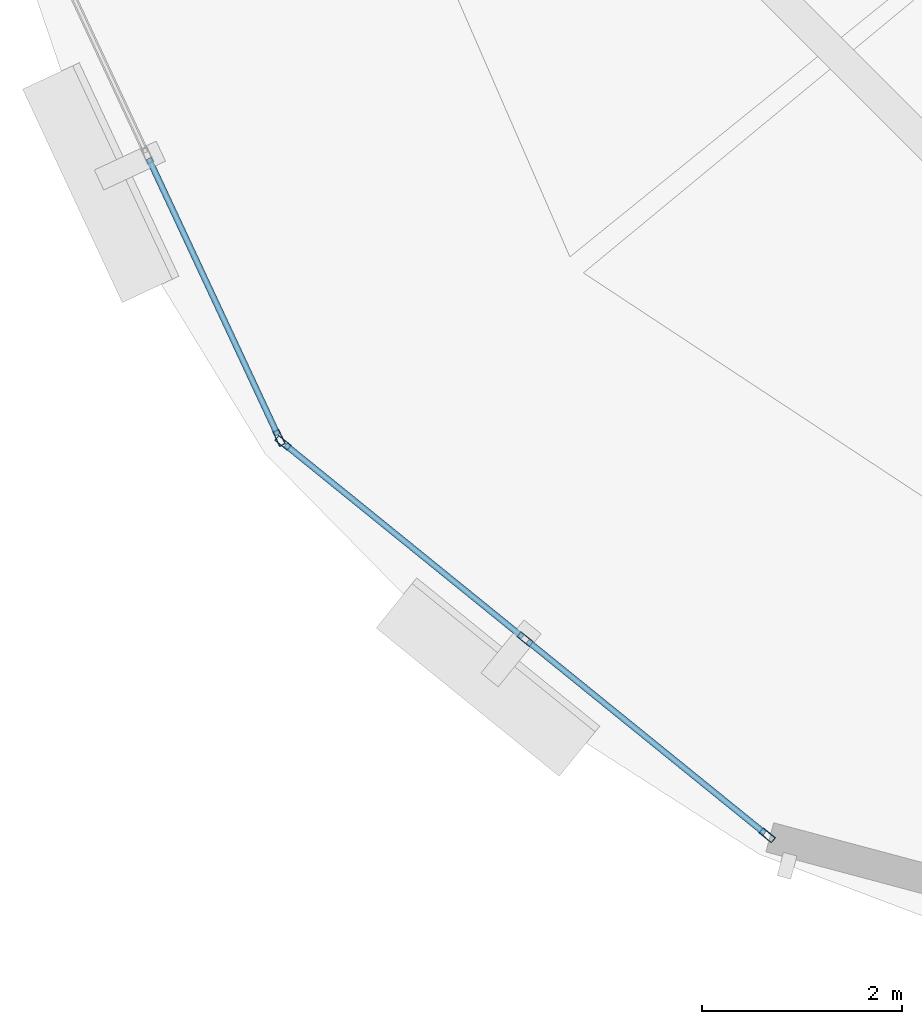
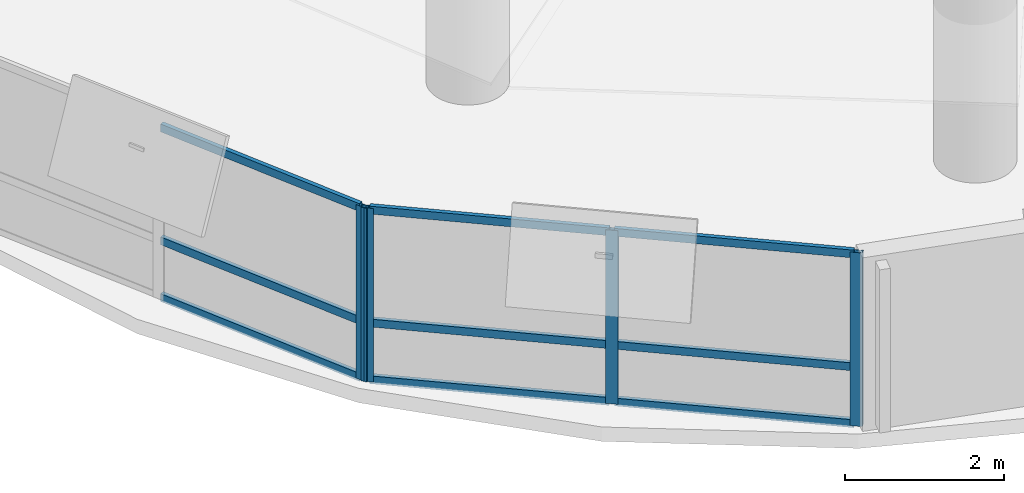
# One storey, part 2 of 12: 13 members, 2 elements without a shape of their own.
"""IFC4 building model written with IfcOpenShell, lengths in metres."""

from ifc_helpers import new_model, si_unit, direction, frame, origin, origin_2d, place, context, subcontext, project, spatial, hollow_rectangle, extrude, material, layer, layer_set, material_profile, profile_set, type_object, element, aggregate, save


model = new_model("IFC4")

# Units and contexts
model_context = context("Model", 3, precision=1e-05, world=origin(), true_north=direction((0.0, 1.0)))
body_context = subcontext(model_context, "Body", "Model", "MODEL_VIEW")
ifc_project = project(units=[si_unit("LENGTHUNIT", "METRE"), si_unit("AREAUNIT", "SQUARE_METRE"), si_unit("VOLUMEUNIT", "CUBIC_METRE"), si_unit("PLANEANGLEUNIT", "RADIAN"), si_unit("MASSUNIT", "GRAM", prefix="KILO"), si_unit("THERMODYNAMICTEMPERATUREUNIT", "KELVIN"), si_unit("POWERUNIT", "WATT")], contexts=[model_context])

# Site, building, storey
site_placement = place(None, origin())
site = spatial("IfcSite", under=ifc_project, at=site_placement, CompositionType="ELEMENT")
building_placement = place(site_placement, origin())
building = spatial("IfcBuilding", under=site, at=building_placement, Name="Ocrelia Relay Tower", CompositionType="ELEMENT")
storey_placement = place(building_placement, frame((0.0, 0.0, 191.60009765625)))
storey = spatial("IfcBuildingStorey", under=building, at=storey_placement, Name="L46", CompositionType="ELEMENT", Elevation=191.60009765625)

# Curtain wall, member
ifc_material_1 = material(Name="Aluminium and solar-control low-E glass", Category="aluminium")
ifc_layer = layer(ifc_material_1, 0.179931640625, Name="Aluminium and solar-control low-E glass")
ifc_layer_set = layer_set([ifc_layer], Name="Aluminium and solar-control low-E glass")
curtain_wall_type = type_object("IfcCurtainWallType", Name="CW-SYS-Z3-CLOU", PredefinedType="NOTDEFINED", material=ifc_layer_set)
curtain_wall_1_placement = place(storey_placement, origin())
curtain_wall_1 = element("IfcCurtainWall", 1, at=curtain_wall_1_placement, inside=storey, type_object=curtain_wall_type, Name="L46 Elliptical Tower Curtain Wall Bay 09", PredefinedType="NOTDEFINED")
ifc_material_2 = material(Name="Anodised bronze aluminium", Category="aluminium")
ifc_material_profile_1 = material_profile(ifc_material_2, hollow_rectangle(XDim=0.06494140625, YDim=0.159912109375, WallThickness=0.0048828125, at=origin_2d()), Name="CW-MUL-160x65")
ifc_profile_set_1 = profile_set([ifc_material_profile_1], Name="Anodised bronze aluminium")
member_type_1 = type_object("IfcMemberType", Name="CW-SYS-Z3-CLOU-MUL", PredefinedType="MULLION", material=ifc_profile_set_1)
member_1_placement = place(storey_placement, frame((15.546875, 11.623046875, 0.0), z_axis=(0.0, 0.0, 1.0), x_axis=(0.906166467476, 0.422921190321, 0.0)))
member_1 = element("IfcMember", 2, at=member_1_placement, type_object=member_type_1, Name="CW-Z3 mullion 3", PredefinedType="MULLION", context=body_context, shape_type="SweptSolid", body=[
    extrude(hollow_rectangle(XDim=0.06494140625, YDim=0.159912109375, WallThickness=0.0048828125, at=origin_2d()), origin(), (0.0, 0.0, 1.0), 2.659912109375),
])

# Curtain wall, members
curtain_wall_2_placement = place(storey_placement, origin())
curtain_wall_2 = element("IfcCurtainWall", 3, at=curtain_wall_2_placement, inside=storey, type_object=curtain_wall_type, Name="L46 Elliptical Tower Curtain Wall Bay 10", PredefinedType="NOTDEFINED")
member_2_placement = place(storey_placement, frame((15.585693359375, 11.572998046875, 0.0), z_axis=(0.0, 0.0, 1.0), x_axis=(0.629580019644, 0.776935646541, 0.0)))
member_2 = element("IfcMember", 4, at=member_2_placement, type_object=member_type_1, Name="CW-Z3 mullion 1", PredefinedType="MULLION", context=body_context, shape_type="SweptSolid", body=[
    extrude(hollow_rectangle(XDim=0.06494140625, YDim=0.159912109375, WallThickness=0.0048828125, at=origin_2d()), origin(), (0.0, 0.0, 1.0), 2.659912109375),
])
member_3_placement = place(storey_placement, frame((18.001220703125, 9.61572265625, 0.0), z_axis=(0.0, 0.0, 1.0), x_axis=(0.629580019644, 0.776935646541, 0.0)))
member_3 = element("IfcMember", 5, at=member_3_placement, type_object=member_type_1, Name="CW-Z3 mullion 2", PredefinedType="MULLION", context=body_context, shape_type="SweptSolid", body=[
    extrude(hollow_rectangle(XDim=0.06494140625, YDim=0.159912109375, WallThickness=0.0048828125, at=origin_2d()), origin(), (0.0, 0.0, 1.0), 2.659912109375),
])
member_4_placement = place(storey_placement, frame((20.41650390625, 7.658447265625, 0.0), z_axis=(0.0, 0.0, 1.0), x_axis=(0.629580019644, 0.776935646541, 0.0)))
member_4 = element("IfcMember", 6, at=member_4_placement, type_object=member_type_1, Name="CW-Z3 mullion 3", PredefinedType="MULLION", context=body_context, shape_type="SweptSolid", body=[
    extrude(hollow_rectangle(XDim=0.06494140625, YDim=0.159912109375, WallThickness=0.0048828125, at=origin_2d()), origin(), (0.0, 0.0, 1.0), 2.659912109375),
])

# Member
ifc_material_profile_2 = material_profile(ifc_material_2, hollow_rectangle(XDim=0.06005859375, YDim=0.1201171875, WallThickness=0.0048828125, at=origin_2d()), Name="CW-TRN-120x60")
ifc_profile_set_2 = profile_set([ifc_material_profile_2], Name="Anodised bronze aluminium")
member_type_2 = type_object("IfcMemberType", Name="CW-SYS-Z3-CLOU-TRN", PredefinedType="USERDEFINED", material=ifc_profile_set_2)
member_5_placement = place(storey_placement, frame((14.24560546875, 14.41064453125, 0.02978515625), z_axis=(0.422924982366, -0.906164697663, 0.0), x_axis=(0.906164697663, 0.422924982366, 0.0)))
member_5 = element("IfcMember", 7, at=member_5_placement, type_object=member_type_2, Name="CW-Z3 transom 2.1", ObjectType="TRANSOM", PredefinedType="USERDEFINED", context=body_context, shape_type="SweptSolid", body=[
    extrude(hollow_rectangle(XDim=0.06005859375, YDim=0.1201171875, WallThickness=0.0048828125, at=origin_2d()), origin(), (0.0, 0.0, 1.0), 3.0439453125),
])

member_6_placement = place(storey_placement, frame((14.24560546875, 14.41064453125, 0.89990234375), z_axis=(0.422924982366, -0.906164697663, 0.0), x_axis=(0.906164697663, 0.422924982366, 0.0)))
member_6 = element("IfcMember", 8, at=member_6_placement, type_object=member_type_2, Name="CW-Z3 transom 2.2", ObjectType="TRANSOM", PredefinedType="USERDEFINED", context=body_context, shape_type="SweptSolid", body=[
    extrude(hollow_rectangle(XDim=0.06005859375, YDim=0.1201171875, WallThickness=0.0048828125, at=origin_2d()), origin(), (0.0, 0.0, 1.0), 3.0439453125),
])

member_7_placement = place(storey_placement, frame((14.24560546875, 14.41064453125, 2.6298828125), z_axis=(0.422924982366, -0.906164697663, 0.0), x_axis=(0.906164697663, 0.422924982366, 0.0)))
member_7 = element("IfcMember", 9, at=member_7_placement, type_object=member_type_2, Name="CW-Z3 transom 2.3", ObjectType="TRANSOM", PredefinedType="USERDEFINED", context=body_context, shape_type="SweptSolid", body=[
    extrude(hollow_rectangle(XDim=0.06005859375, YDim=0.1201171875, WallThickness=0.0048828125, at=origin_2d()), origin(), (0.0, 0.0, 1.0), 3.0439453125),
])

aggregate(curtain_wall_1, [member_1, member_5, member_6, member_7])

member_8_placement = place(storey_placement, frame((15.611083984375, 11.552490234375, 0.02978515625), z_axis=(0.776932827661, -0.629583498277, 0.0), x_axis=(0.629583498277, 0.776932827661, 0.0)))
member_8 = element("IfcMember", 10, at=member_8_placement, type_object=member_type_2, Name="CW-Z3 transom 1.1", ObjectType="TRANSOM", PredefinedType="USERDEFINED", context=body_context, shape_type="SweptSolid", body=[
    extrude(hollow_rectangle(XDim=0.06005859375, YDim=0.1201171875, WallThickness=0.0048828125, at=origin_2d()), origin(), (0.0, 0.0, 1.0), 3.043701171875),
])

member_9_placement = place(storey_placement, frame((15.611083984375, 11.552490234375, 0.89990234375), z_axis=(0.776932827661, -0.629583498277, 0.0), x_axis=(0.629583498277, 0.776932827661, 0.0)))
member_9 = element("IfcMember", 11, at=member_9_placement, type_object=member_type_2, Name="CW-Z3 transom 1.2", ObjectType="TRANSOM", PredefinedType="USERDEFINED", context=body_context, shape_type="SweptSolid", body=[
    extrude(hollow_rectangle(XDim=0.06005859375, YDim=0.1201171875, WallThickness=0.0048828125, at=origin_2d()), origin(), (0.0, 0.0, 1.0), 3.043701171875),
])

member_10_placement = place(storey_placement, frame((15.611083984375, 11.552490234375, 2.6298828125), z_axis=(0.776932827661, -0.629583498277, 0.0), x_axis=(0.629583498277, 0.776932827661, 0.0)))
member_10 = element("IfcMember", 12, at=member_10_placement, type_object=member_type_2, Name="CW-Z3 transom 1.3", ObjectType="TRANSOM", PredefinedType="USERDEFINED", context=body_context, shape_type="SweptSolid", body=[
    extrude(hollow_rectangle(XDim=0.06005859375, YDim=0.1201171875, WallThickness=0.0048828125, at=origin_2d()), origin(), (0.0, 0.0, 1.0), 3.043701171875),
])

member_11_placement = place(storey_placement, frame((18.0263671875, 9.59521484375, 0.02978515625), z_axis=(0.776964618726, -0.629544264724, 0.0), x_axis=(0.629544264724, 0.776964618726, 0.0)))
member_11 = element("IfcMember", 13, at=member_11_placement, type_object=member_type_2, Name="CW-Z3 transom 2.1", ObjectType="TRANSOM", PredefinedType="USERDEFINED", context=body_context, shape_type="SweptSolid", body=[
    extrude(hollow_rectangle(XDim=0.06005859375, YDim=0.1201171875, WallThickness=0.0048828125, at=origin_2d()), origin(), (0.0, 0.0, 1.0), 3.0439453125),
])

member_12_placement = place(storey_placement, frame((18.0263671875, 9.59521484375, 0.89990234375), z_axis=(0.776964618726, -0.629544264724, 0.0), x_axis=(0.629544264724, 0.776964618726, 0.0)))
member_12 = element("IfcMember", 14, at=member_12_placement, type_object=member_type_2, Name="CW-Z3 transom 2.2", ObjectType="TRANSOM", PredefinedType="USERDEFINED", context=body_context, shape_type="SweptSolid", body=[
    extrude(hollow_rectangle(XDim=0.06005859375, YDim=0.1201171875, WallThickness=0.0048828125, at=origin_2d()), origin(), (0.0, 0.0, 1.0), 3.0439453125),
])

member_13_placement = place(storey_placement, frame((18.0263671875, 9.59521484375, 2.6298828125), z_axis=(0.776964618726, -0.629544264724, 0.0), x_axis=(0.629544264724, 0.776964618726, 0.0)))
member_13 = element("IfcMember", 15, at=member_13_placement, type_object=member_type_2, Name="CW-Z3 transom 2.3", ObjectType="TRANSOM", PredefinedType="USERDEFINED", context=body_context, shape_type="SweptSolid", body=[
    extrude(hollow_rectangle(XDim=0.06005859375, YDim=0.1201171875, WallThickness=0.0048828125, at=origin_2d()), origin(), (0.0, 0.0, 1.0), 3.0439453125),
])

aggregate(curtain_wall_2, [member_2, member_3, member_4, member_8, member_9, member_10, member_11, member_12, member_13])

save(model, "model.ifc")
